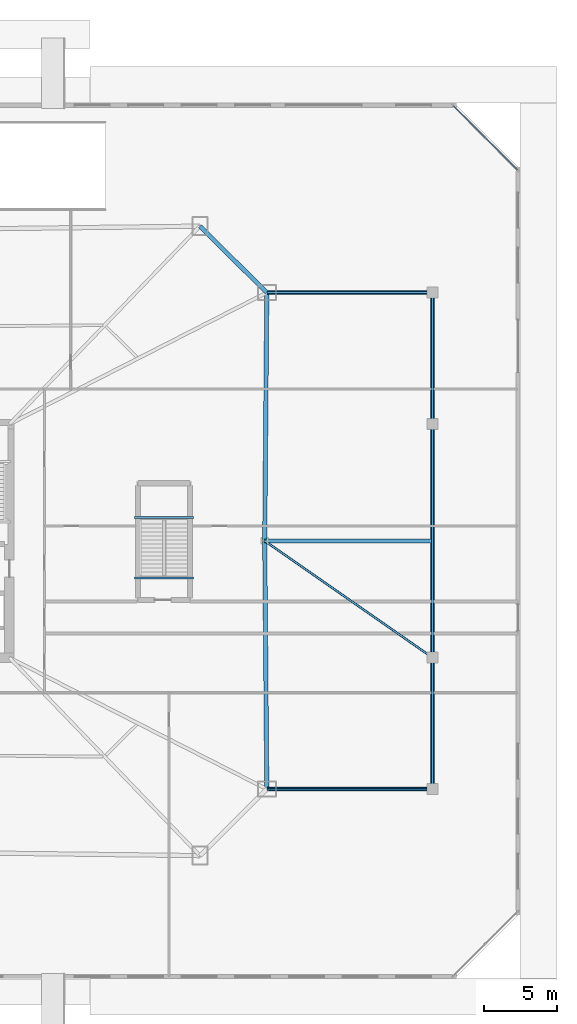
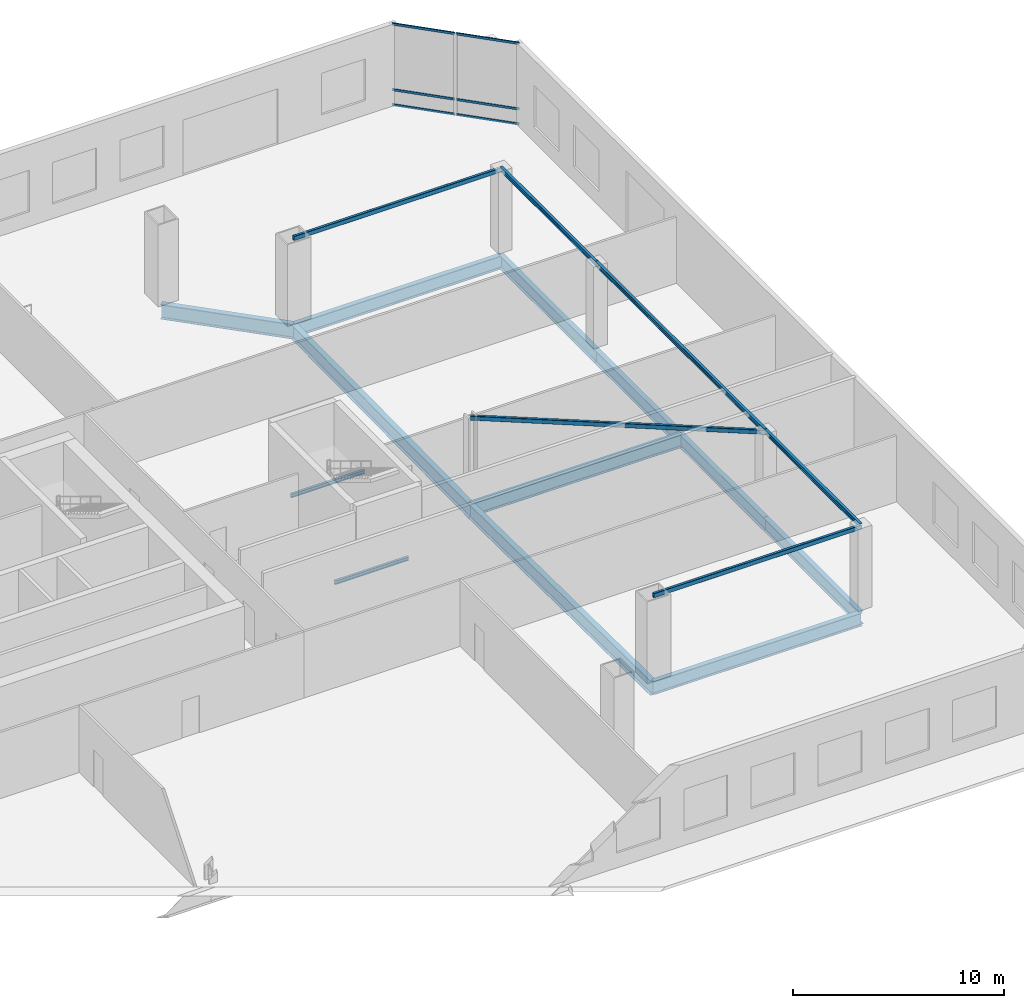
# One storey, part 7 of 23: 14 beams, 9 members, 1 element without a shape of its own.
"""IFC4 building model written with IfcOpenShell, lengths in metres."""

from ifc_helpers import new_model, si_unit, direction, frame, origin, origin_2d, place, context, subcontext, project, spatial, hollow_rectangle, i_section, extrude, material, layer, layer_set, material_profile, profile_set, type_object, element, aggregate, save


model = new_model("IFC4")

# Units and contexts
model_context = context("Model", 3, precision=1e-05, world=origin(), true_north=direction((0.0, 1.0)))
body_context = subcontext(model_context, "Body", "Model", "MODEL_VIEW")
ifc_project = project(units=[si_unit("LENGTHUNIT", "METRE"), si_unit("AREAUNIT", "SQUARE_METRE"), si_unit("VOLUMEUNIT", "CUBIC_METRE"), si_unit("PLANEANGLEUNIT", "RADIAN"), si_unit("MASSUNIT", "GRAM", prefix="KILO")], contexts=[model_context])

# Site, building, storey
site_placement = place(None, origin())
site = spatial("IfcSite", under=ifc_project, at=site_placement, CompositionType="ELEMENT")
building_placement = place(site_placement, origin())
building = spatial("IfcBuilding", under=site, at=building_placement, Name="Caelvoria Tower", CompositionType="ELEMENT")
storey_placement = place(building_placement, origin())
storey = spatial("IfcBuildingStorey", under=building, at=storey_placement, Name="L00", CompositionType="ELEMENT", Elevation=0.0)

# Beams
ifc_material_1 = material(Name="Structural Steel ASTM A992 Gr.50", Category="steel")
ifc_material_profile_1 = material_profile(ifc_material_1, i_section(OverallWidth=0.26708984375, OverallDepth=0.76611328125, WebThickness=0.014892578125, FlangeThickness=0.023681640625, FilletRadius=0.02001953125, at=origin_2d()), Name="Structural Steel ASTM A992 Gr.50")
ifc_profile_set_1 = profile_set([ifc_material_profile_1], Name="W760X185 - Structural Steel ASTM A992 Gr.50")
beam_type_1 = type_object("IfcBeamType", Name="Basement Heavy Girder W760X185", PredefinedType="BEAM", material=ifc_profile_set_1)
beam_1_placement = place(storey_placement, frame((84.0, 14.984375, -0.73291015625), z_axis=(0.0, 1.0, 0.0), x_axis=(-1.0, 0.0, 0.0)))
element("IfcBeam", 1, at=beam_1_placement, inside=storey, type_object=beam_type_1, Name="Podium Wing Edge Girder L00-E1", PredefinedType="BEAM", context=body_context, shape_type="SweptSolid", body=[
    extrude(i_section(OverallWidth=0.26708984375, OverallDepth=0.76611328125, WebThickness=0.014892578125, FlangeThickness=0.023681640625, FilletRadius=0.02001953125, at=origin_2d()), origin(), (0.0, 0.0, 1.0), 9.015625),
])
beam_2_placement = place(storey_placement, frame((84.0, 24.0, -0.73291015625), z_axis=(0.0, 1.0, 0.0), x_axis=(-1.0, 0.0, 0.0)))
element("IfcBeam", 2, at=beam_2_placement, inside=storey, type_object=beam_type_1, Name="Podium Wing Edge Girder L00-E2", PredefinedType="BEAM", context=body_context, shape_type="SweptSolid", body=[
    extrude(i_section(OverallWidth=0.26708984375, OverallDepth=0.76611328125, WebThickness=0.014892578125, FlangeThickness=0.023681640625, FilletRadius=0.02001953125, at=origin_2d()), origin(), (0.0, 0.0, 1.0), 16.0),
])
beam_3_placement = place(storey_placement, frame((84.0, 40.0, -0.73291015625), z_axis=(0.0, 1.0, 0.0), x_axis=(-1.0, 0.0, 0.0)))
element("IfcBeam", 3, at=beam_3_placement, inside=storey, type_object=beam_type_1, Name="Podium Wing Edge Girder L00-E3", PredefinedType="BEAM", context=body_context, shape_type="SweptSolid", body=[
    extrude(i_section(OverallWidth=0.26708984375, OverallDepth=0.76611328125, WebThickness=0.014892578125, FlangeThickness=0.023681640625, FilletRadius=0.02001953125, at=origin_2d()), origin(), (0.0, 0.0, 1.0), 9.015625),
])
beam_4_placement = place(storey_placement, frame((84.0, 14.984375, -0.73291015625), z_axis=(-1.0, 0.0, 0.0), x_axis=(0.0, -1.0, 0.0)))
element("IfcBeam", 4, at=beam_4_placement, inside=storey, type_object=beam_type_1, Name="Podium Wing Tie Girder L00-ES", PredefinedType="BEAM", context=body_context, shape_type="SweptSolid", body=[
    extrude(i_section(OverallWidth=0.26708984375, OverallDepth=0.76611328125, WebThickness=0.014892578125, FlangeThickness=0.023681640625, FilletRadius=0.02001953125, at=origin_2d()), origin(), (0.0, 0.0, 1.0), 11.3583984375),
])
beam_5_placement = place(storey_placement, frame((84.0, 32.0, -0.73291015625), z_axis=(-1.0, 0.0, 0.0), x_axis=(0.0, -1.0, 0.0)))
element("IfcBeam", 5, at=beam_5_placement, inside=storey, type_object=beam_type_1, Name="Podium Wing Tie Girder L00-EM", PredefinedType="BEAM", context=body_context, shape_type="SweptSolid", body=[
    extrude(i_section(OverallWidth=0.26708984375, OverallDepth=0.76611328125, WebThickness=0.014892578125, FlangeThickness=0.023681640625, FilletRadius=0.02001953125, at=origin_2d()), origin(), (0.0, 0.0, 1.0), 11.5),
])
beam_6_placement = place(storey_placement, frame((84.0, 49.015625, -0.73291015625), z_axis=(-1.0, 0.0, 0.0), x_axis=(0.0, -1.0, 0.0)))
element("IfcBeam", 6, at=beam_6_placement, inside=storey, type_object=beam_type_1, Name="Podium Wing Tie Girder L00-EN", PredefinedType="BEAM", context=body_context, shape_type="SweptSolid", body=[
    extrude(i_section(OverallWidth=0.26708984375, OverallDepth=0.76611328125, WebThickness=0.014892578125, FlangeThickness=0.023681640625, FilletRadius=0.02001953125, at=origin_2d()), origin(), (0.0, 0.0, 1.0), 11.3583984375),
])
ifc_material_profile_2 = material_profile(ifc_material_1, i_section(OverallWidth=0.134033203125, OverallDepth=0.2099609375, WebThickness=0.00634765625, FlangeThickness=0.01025390625, FilletRadius=0.010009765625, at=origin_2d()), Name="Structural Steel ASTM A992 Gr.50")
ifc_profile_set_2 = profile_set([ifc_material_profile_2], Name="W200X31.3 - Structural Steel ASTM A992 Gr.50")
beam_type_2 = type_object("IfcBeamType", Name="Canopy Edge Trim Beam W200X31.3", PredefinedType="BEAM", material=ifc_profile_set_2)
for number, where, z_axis, x_axis, name in (
    (7, (63.580078125, 33.60009765625, 2.195068359375), (1.0, 0.0, 0.0), (0.0, 1.0, 0.0), "ST-04 Half-Landing Support Beam L00"),
    (8, (63.580078125, 29.449951171875, -0.304931640625), (1.0, 0.0, 0.0), (0.0, 1.0, 0.0), "ST-04 Floor-Landing Support Beam L00"),
):
    element("IfcBeam", number, at=place(storey_placement, frame(where, z_axis=z_axis, x_axis=x_axis)), inside=storey, type_object=beam_type_2, Name=name, PredefinedType="BEAM", context=body_context, shape_type="SweptSolid", body=[
        extrude(i_section(OverallWidth=0.134033203125, OverallDepth=0.2099609375, WebThickness=0.00634765625, FlangeThickness=0.01025390625, FilletRadius=0.010009765625, at=origin_2d()), origin(), (0.0, 0.0, 1.0), 4.0400390625),
    ])

# Curtain wall, members
ifc_material_2 = material(Name="Anodised Bronze Aluminium and Low-E Glass", Category="aluminium")
ifc_layer = layer(ifc_material_2, 0.199951171875, Name="Anodised Bronze Aluminium and Low-E Glass")
ifc_layer_set = layer_set([ifc_layer], Name="CW System 1 Podium Arcade Unitised Glazing - Anodised Bronze Aluminium and Low-E Glass")
curtain_wall_type = type_object("IfcCurtainWallType", Name="CW System 1 Podium Arcade Unitised Glazing", PredefinedType="NOTDEFINED", material=ifc_layer_set)
curtain_wall_placement = place(storey_placement, origin())
curtain_wall = element("IfcCurtainWall", 9, at=curtain_wall_placement, inside=storey, type_object=curtain_wall_type, Name="CW-01 Curtain Wall L00-E3", PredefinedType="NOTDEFINED")
ifc_material_3 = material(Name="Anodised Bronze Architectural Aluminium", Category="aluminium")
ifc_material_profile_3 = material_profile(ifc_material_3, hollow_rectangle(XDim=0.06494140625, YDim=0.1298828125, WallThickness=0.00341796875, at=origin_2d()), Name="Anodised Bronze Architectural Aluminium")
ifc_profile_set_3 = profile_set([ifc_material_profile_3], Name="CW_TRAN_65X130 - Anodised Bronze Architectural Aluminium")
member_type_1 = type_object("IfcMemberType", Name="Curtain Wall Transom 65x130 Bronze Aluminium", PredefinedType="USERDEFINED", material=ifc_profile_set_3)
member_1_placement = place(storey_placement, frame((89.8232421875, 57.422119140625, 0.032470703125), z_axis=(-0.707106781187, 0.707106781187, 0.0), x_axis=(-0.707106781187, -0.707106781187, 0.0)))
member_1 = element("IfcMember", 10, at=member_1_placement, type_object=member_type_1, Name="CW-01 transom 1.1", ObjectType="TRANSOM", PredefinedType="USERDEFINED", context=body_context, shape_type="SweptSolid", body=[
    extrude(hollow_rectangle(XDim=0.06494140625, YDim=0.1298828125, WallThickness=0.00341796875, at=origin_2d()), origin(), (0.0, 0.0, 1.0), 3.076904296875),
])
member_2_placement = place(storey_placement, frame((89.8232421875, 57.422119140625, 0.89990234375), z_axis=(-0.707106781187, 0.707106781187, 0.0), x_axis=(-0.707106781187, -0.707106781187, 0.0)))
member_2 = element("IfcMember", 11, at=member_2_placement, type_object=member_type_1, Name="CW-01 transom 1.2", ObjectType="TRANSOM", PredefinedType="USERDEFINED", context=body_context, shape_type="SweptSolid", body=[
    extrude(hollow_rectangle(XDim=0.06494140625, YDim=0.1298828125, WallThickness=0.00341796875, at=origin_2d()), origin(), (0.0, 0.0, 1.0), 3.076904296875),
])
member_3_placement = place(storey_placement, frame((89.8232421875, 57.422119140625, 4.6875), z_axis=(-0.707106781187, 0.707106781187, 0.0), x_axis=(-0.707106781187, -0.707106781187, 0.0)))
member_3 = element("IfcMember", 12, at=member_3_placement, type_object=member_type_1, Name="CW-01 transom 1.3", ObjectType="TRANSOM", PredefinedType="USERDEFINED", context=body_context, shape_type="SweptSolid", body=[
    extrude(hollow_rectangle(XDim=0.06494140625, YDim=0.1298828125, WallThickness=0.00341796875, at=origin_2d()), origin(), (0.0, 0.0, 1.0), 3.076904296875),
])
member_4_placement = place(storey_placement, frame((87.597900390625, 59.6474609375, 0.032470703125), z_axis=(-0.707106781187, 0.707106781187, 0.0), x_axis=(-0.707106781187, -0.707106781187, 0.0)))
member_4 = element("IfcMember", 13, at=member_4_placement, type_object=member_type_1, Name="CW-01 transom 2.1", ObjectType="TRANSOM", PredefinedType="USERDEFINED", context=body_context, shape_type="SweptSolid", body=[
    extrude(hollow_rectangle(XDim=0.06494140625, YDim=0.1298828125, WallThickness=0.00341796875, at=origin_2d()), origin(), (0.0, 0.0, 1.0), 3.076904296875),
])
member_5_placement = place(storey_placement, frame((87.597900390625, 59.6474609375, 0.89990234375), z_axis=(-0.707106781187, 0.707106781187, 0.0), x_axis=(-0.707106781187, -0.707106781187, 0.0)))
member_5 = element("IfcMember", 14, at=member_5_placement, type_object=member_type_1, Name="CW-01 transom 2.2", ObjectType="TRANSOM", PredefinedType="USERDEFINED", context=body_context, shape_type="SweptSolid", body=[
    extrude(hollow_rectangle(XDim=0.06494140625, YDim=0.1298828125, WallThickness=0.00341796875, at=origin_2d()), origin(), (0.0, 0.0, 1.0), 3.076904296875),
])
member_6_placement = place(storey_placement, frame((87.597900390625, 59.6474609375, 4.6875), z_axis=(-0.707106781187, 0.707106781187, 0.0), x_axis=(-0.707106781187, -0.707106781187, 0.0)))
member_6 = element("IfcMember", 15, at=member_6_placement, type_object=member_type_1, Name="CW-01 transom 2.3", ObjectType="TRANSOM", PredefinedType="USERDEFINED", context=body_context, shape_type="SweptSolid", body=[
    extrude(hollow_rectangle(XDim=0.06494140625, YDim=0.1298828125, WallThickness=0.00341796875, at=origin_2d()), origin(), (0.0, 0.0, 1.0), 3.076904296875),
])
aggregate(curtain_wall, [member_1, member_2, member_3, member_4, member_5, member_6])

# Beams
ifc_material_profile_4 = material_profile(ifc_material_1, i_section(OverallWidth=0.14697265625, OverallDepth=0.261962890625, WebThickness=0.006591796875, FlangeThickness=0.01123046875, FilletRadius=0.010986328125, at=origin_2d()), Name="Structural Steel ASTM A992 Gr.50")
ifc_profile_set_4 = profile_set([ifc_material_profile_4], Name="W250X38.5 - Structural Steel ASTM A992 Gr.50")
beam_type_3 = type_object("IfcBeamType", Name="Opening Structural Steel Lintel W250X38.5", PredefinedType="LINTEL", material=ifc_profile_set_4)
beam_7_placement = place(storey_placement, frame((84.0, 14.984375, 4.590087890625), z_axis=(0.0, 1.0, 0.0), x_axis=(-1.0, 0.0, 0.0)))
element("IfcBeam", 16, at=beam_7_placement, inside=storey, type_object=beam_type_3, Name="Arcade Opening Lintel L00-2-1", PredefinedType="LINTEL", context=body_context, shape_type="SweptSolid", body=[
    extrude(i_section(OverallWidth=0.14697265625, OverallDepth=0.261962890625, WebThickness=0.006591796875, FlangeThickness=0.01123046875, FilletRadius=0.010986328125, at=origin_2d()), origin(), (0.0, 0.0, 1.0), 9.015625),
])
beam_8_placement = place(storey_placement, frame((84.0, 24.0, 4.590087890625), z_axis=(0.0, 1.0, 0.0), x_axis=(-1.0, 0.0, 0.0)))
element("IfcBeam", 17, at=beam_8_placement, inside=storey, type_object=beam_type_3, Name="Arcade Opening Lintel L00-2-2", PredefinedType="LINTEL", context=body_context, shape_type="SweptSolid", body=[
    extrude(i_section(OverallWidth=0.14697265625, OverallDepth=0.261962890625, WebThickness=0.006591796875, FlangeThickness=0.01123046875, FilletRadius=0.010986328125, at=origin_2d()), origin(), (0.0, 0.0, 1.0), 16.0),
])
beam_9_placement = place(storey_placement, frame((84.0, 40.0, 4.590087890625), z_axis=(0.0, 1.0, 0.0), x_axis=(-1.0, 0.0, 0.0)))
element("IfcBeam", 18, at=beam_9_placement, inside=storey, type_object=beam_type_3, Name="Arcade Opening Lintel L00-2-3", PredefinedType="LINTEL", context=body_context, shape_type="SweptSolid", body=[
    extrude(i_section(OverallWidth=0.14697265625, OverallDepth=0.261962890625, WebThickness=0.006591796875, FlangeThickness=0.01123046875, FilletRadius=0.010986328125, at=origin_2d()), origin(), (0.0, 0.0, 1.0), 9.015625),
])

# Members
ifc_material_4 = material(Name="Structural Steel ASTM A500 Gr.C", Category="steel")
ifc_material_profile_5 = material_profile(ifc_material_4, hollow_rectangle(XDim=0.14990234375, YDim=0.25, WallThickness=0.010009765625, InnerFilletRadius=0.010009765625, OuterFilletRadius=0.02001953125, at=origin_2d()), Name="Structural Steel ASTM A500 Gr.C")
ifc_profile_set_5 = profile_set([ifc_material_profile_5], Name="HSS250X150X10 - Structural Steel ASTM A500 Gr.C")
member_type_2 = type_object("IfcMemberType", Name="Podium Canopy Secondary Purlin HSS250X150X10", PredefinedType="PURLIN", material=ifc_profile_set_5)
member_7_placement = place(storey_placement, frame((84.0, 14.984375, 4.56005859375), z_axis=(-1.0, 0.0, 0.0), x_axis=(0.0, -1.0, 0.0)))
element("IfcMember", 19, at=member_7_placement, inside=storey, type_object=member_type_2, Name="Podium Canopy Purlin L00-2-1", PredefinedType="PURLIN", context=body_context, shape_type="SweptSolid", body=[
    extrude(hollow_rectangle(XDim=0.14990234375, YDim=0.25, WallThickness=0.010009765625, InnerFilletRadius=0.010009765625, OuterFilletRadius=0.02001953125, at=origin_2d()), origin(), (0.0, 0.0, 1.0), 11.3583984375),
])
member_8_placement = place(storey_placement, frame((84.0, 24.0, 4.56005859375), z_axis=(-0.820905201785, 0.571064488199, 0.0), x_axis=(-0.571064488199, -0.820905201785, 0.0)))
element("IfcMember", 20, at=member_8_placement, inside=storey, type_object=member_type_2, Name="Podium Canopy Purlin L00-2-2", PredefinedType="PURLIN", context=body_context, shape_type="SweptSolid", body=[
    extrude(hollow_rectangle(XDim=0.14990234375, YDim=0.25, WallThickness=0.010009765625, InnerFilletRadius=0.010009765625, OuterFilletRadius=0.02001953125, at=origin_2d()), origin(), (0.0, 0.0, 1.0), 14.009033203125),
])
member_9_placement = place(storey_placement, frame((84.0, 49.015625, 4.56005859375), z_axis=(-1.0, 0.0, 0.0), x_axis=(0.0, -1.0, 0.0)))
element("IfcMember", 21, at=member_9_placement, inside=storey, type_object=member_type_2, Name="Podium Canopy Purlin L00-2-3", PredefinedType="PURLIN", context=body_context, shape_type="SweptSolid", body=[
    extrude(hollow_rectangle(XDim=0.14990234375, YDim=0.25, WallThickness=0.010009765625, InnerFilletRadius=0.010009765625, OuterFilletRadius=0.02001953125, at=origin_2d()), origin(), (0.0, 0.0, 1.0), 11.3583984375),
])

# Beams
ifc_material_profile_6 = material_profile(ifc_material_1, i_section(OverallWidth=0.2939453125, OverallDepth=0.85107421875, WebThickness=0.01611328125, FlangeThickness=0.02685546875, FilletRadius=0.02197265625, at=origin_2d()), Name="Structural Steel ASTM A992 Gr.50")
ifc_profile_set_6 = profile_set([ifc_material_profile_6], Name="W840X226 - Structural Steel ASTM A992 Gr.50")
beam_type_4 = type_object("IfcBeamType", Name="Podium Long-Span Girder W840X226", PredefinedType="BEAM", material=ifc_profile_set_6)
for number, where, z_axis, x_axis, name in (
    (22, (72.6416015625, 14.984375, -0.775390625), (-0.00832156677, 0.999965375164, 0.0), (-0.999965375164, -0.00832156677, 0.0), "Perimeter Spandrel Girder L00-03"),
    (23, (72.5, 32.0, -0.775390625), (0.00832156677, 0.999965375164, 0.0), (-0.999965375164, 0.00832156677, 0.0), "Perimeter Spandrel Girder L00-04"),
):
    element("IfcBeam", number, at=place(storey_placement, frame(where, z_axis=z_axis, x_axis=x_axis)), inside=storey, type_object=beam_type_4, Name=name, PredefinedType="BEAM", context=body_context, shape_type="SweptSolid", body=[
        extrude(i_section(OverallWidth=0.2939453125, OverallDepth=0.85107421875, WebThickness=0.01611328125, FlangeThickness=0.02685546875, FilletRadius=0.02197265625, at=origin_2d()), origin(), (0.0, 0.0, 1.0), 17.01611328125),
    ])
beam_10_placement = place(storey_placement, frame((72.6416015625, 49.015625, -0.775390625), z_axis=(-0.709407278283, 0.704798775197, 0.0), x_axis=(-0.704798775197, -0.709407278283, 0.0)))
element("IfcBeam", 24, at=beam_10_placement, inside=storey, type_object=beam_type_4, Name="Perimeter Spandrel Girder L00-05", PredefinedType="BEAM", context=body_context, shape_type="SweptSolid", body=[
    extrude(i_section(OverallWidth=0.2939453125, OverallDepth=0.85107421875, WebThickness=0.01611328125, FlangeThickness=0.02685546875, FilletRadius=0.02197265625, at=origin_2d()), origin(), (0.0, 0.0, 1.0), 6.463134765625),
])

save(model, "model.ifc")
